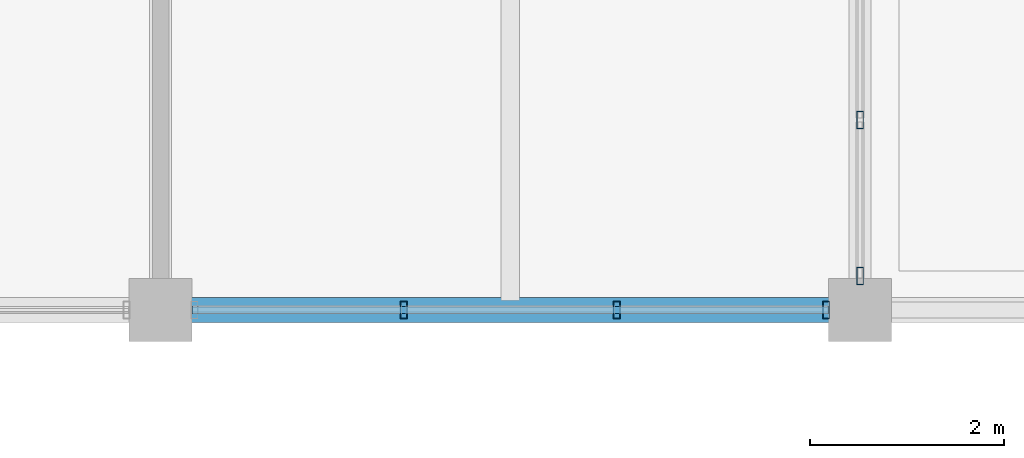
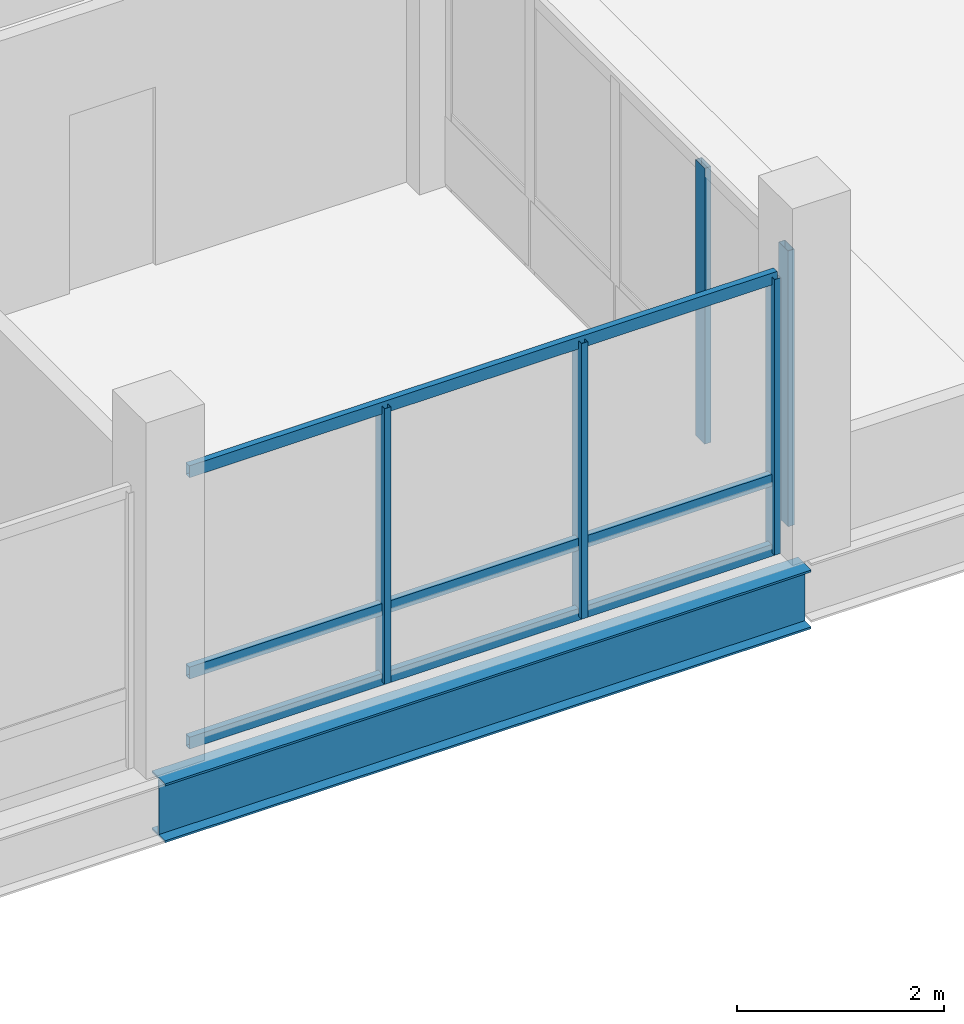
# One storey, part 58 of 102: 8 members, 1 beam, 2 elements without a shape of their own.
"""IFC4 building model written with IfcOpenShell, lengths in metres."""

from ifc_helpers import new_model, si_unit, direction, frame, origin, origin_2d, place, context, subcontext, project, spatial, hollow_rectangle, i_section, extrude, material, material_profile, profile_set, type_object, element, aggregate, save


model = new_model("IFC4")

# Units and contexts
model_context = context("Model", 3, precision=1e-05, world=origin(), true_north=direction((0.0, 1.0)))
body_context = subcontext(model_context, "Body", "Model", "MODEL_VIEW")
ifc_project = project(units=[si_unit("LENGTHUNIT", "METRE"), si_unit("AREAUNIT", "SQUARE_METRE"), si_unit("VOLUMEUNIT", "CUBIC_METRE"), si_unit("PLANEANGLEUNIT", "RADIAN"), si_unit("MASSUNIT", "GRAM", prefix="KILO")], contexts=[model_context])

# Site, building, storey
site_placement = place(None, origin())
site = spatial("IfcSite", under=ifc_project, at=site_placement, CompositionType="ELEMENT")
building_placement = place(site_placement, origin())
building = spatial("IfcBuilding", under=site, at=building_placement, Name="Yarey Park Central Fire Station", CompositionType="ELEMENT")
storey_placement = place(building_placement, frame((0.0, 0.0, 6.0)))
storey = spatial("IfcBuildingStorey", under=building, at=storey_placement, Name="L02", CompositionType="ELEMENT", Elevation=6.0)

# Curtain wall, members
ifc_material_1 = material(Name="Anodized Aluminium Frame", Category="aluminium")
curtain_wall_type = type_object("IfcCurtainWallType", Name="ENV_CW_HQ_L02", PredefinedType="NOTDEFINED", material=ifc_material_1)
curtain_wall_1_placement = place(storey_placement, origin())
curtain_wall_1 = element("IfcCurtainWall", 1, at=curtain_wall_1_placement, inside=storey, type_object=curtain_wall_type, Name="CW_L02_V4_S_6", PredefinedType="NOTDEFINED")
ifc_material_profile_1 = material_profile(ifc_material_1, hollow_rectangle(XDim=0.070068359375, YDim=0.179931640625, WallThickness=0.00390625, at=origin_2d()), Name="ALU 180x70x4")
ifc_profile_set_1 = profile_set([ifc_material_profile_1], Name="Anodized Aluminium Frame")
member_type_1 = type_object("IfcMemberType", Name="ENV_CW_MULLION", PredefinedType="MULLION", material=ifc_profile_set_1)
member_1_placement = place(storey_placement, frame((153.703369140625, 93.60009765625, 0.0), z_axis=(0.0, 0.0, 1.0), x_axis=(1.0, 0.0, 0.0)))
member_1 = element("IfcMember", 2, at=member_1_placement, type_object=member_type_1, Name="CW_L02_V4_S_6_MUL2", PredefinedType="MULLION", context=body_context, shape_type="SweptSolid", body=[
    extrude(hollow_rectangle(XDim=0.070068359375, YDim=0.179931640625, WallThickness=0.00390625, at=origin_2d()), origin(), (0.0, 0.0, 1.0), 3.2470703125),
])
member_2_placement = place(storey_placement, frame((155.896728515625, 93.60009765625, 0.0), z_axis=(0.0, 0.0, 1.0), x_axis=(1.0, 0.0, 0.0)))
member_2 = element("IfcMember", 3, at=member_2_placement, type_object=member_type_1, Name="CW_L02_V4_S_6_MUL3", PredefinedType="MULLION", context=body_context, shape_type="SweptSolid", body=[
    extrude(hollow_rectangle(XDim=0.070068359375, YDim=0.179931640625, WallThickness=0.00390625, at=origin_2d()), origin(), (0.0, 0.0, 1.0), 3.2470703125),
])
member_3_placement = place(storey_placement, frame((158.050048828125, 93.60009765625, 0.0), z_axis=(0.0, 0.0, 1.0), x_axis=(1.0, 0.0, 0.0)))
member_3 = element("IfcMember", 4, at=member_3_placement, type_object=member_type_1, Name="CW_L02_V4_S_6_MUL4", PredefinedType="MULLION", context=body_context, shape_type="SweptSolid", body=[
    extrude(hollow_rectangle(XDim=0.070068359375, YDim=0.179931640625, WallThickness=0.00390625, at=origin_2d()), origin(), (0.0, 0.0, 1.0), 3.2470703125),
])

curtain_wall_2_placement = place(storey_placement, origin())
curtain_wall_2 = element("IfcCurtainWall", 5, at=curtain_wall_2_placement, inside=storey, type_object=curtain_wall_type, Name="CW_L02_V4_E_93", PredefinedType="NOTDEFINED")
member_4_placement = place(storey_placement, frame((158.39990234375, 93.949951171875, 0.0), z_axis=(0.0, 0.0, 1.0), x_axis=(1.0, 0.0, 0.0)))
member_4 = element("IfcMember", 6, at=member_4_placement, type_object=member_type_1, Name="CW_L02_V4_E_93_MUL1", PredefinedType="MULLION", context=body_context, shape_type="SweptSolid", body=[
    extrude(hollow_rectangle(XDim=0.070068359375, YDim=0.179931640625, WallThickness=0.00390625, at=origin_2d()), origin(), (0.0, 0.0, 1.0), 3.25),
])
member_5_placement = place(storey_placement, frame((158.39990234375, 95.554931640625, 0.0), z_axis=(0.0, 0.0, 1.0), x_axis=(1.0, 0.0, 0.0)))
member_5 = element("IfcMember", 7, at=member_5_placement, type_object=member_type_1, Name="CW_L02_V4_E_93_MUL2", PredefinedType="MULLION", context=body_context, shape_type="SweptSolid", body=[
    extrude(hollow_rectangle(XDim=0.070068359375, YDim=0.179931640625, WallThickness=0.00390625, at=origin_2d()), origin(), (0.0, 0.0, 1.0), 3.25),
])
aggregate(curtain_wall_2, [member_4, member_5])

# Member
ifc_material_profile_2 = material_profile(ifc_material_1, hollow_rectangle(XDim=0.070068359375, YDim=0.139892578125, WallThickness=0.00390625, at=origin_2d()), Name="ALU 140x70x4")
ifc_profile_set_2 = profile_set([ifc_material_profile_2], Name="Anodized Aluminium Frame")
member_type_2 = type_object("IfcMemberType", Name="ENV_CW_TRANSOM", PredefinedType="USERDEFINED", material=ifc_profile_set_2)
member_6_placement = place(storey_placement, frame((151.52490234375, 93.60009765625, 0.02490234375), z_axis=(1.0, 0.0, 0.0), x_axis=(0.0, 1.0, 0.0)))
member_6 = element("IfcMember", 8, at=member_6_placement, type_object=member_type_2, Name="CW_L02_V4_S_6_TRN1", ObjectType="TRANSOM", PredefinedType="USERDEFINED", context=body_context, shape_type="SweptSolid", body=[
    extrude(hollow_rectangle(XDim=0.070068359375, YDim=0.139892578125, WallThickness=0.00390625, at=origin_2d()), origin(), (0.0, 0.0, 1.0), 6.550048828125),
])

member_7_placement = place(storey_placement, frame((151.52490234375, 93.60009765625, 0.85009765625), z_axis=(1.0, 0.0, 0.0), x_axis=(0.0, 1.0, 0.0)))
member_7 = element("IfcMember", 9, at=member_7_placement, type_object=member_type_2, Name="CW_L02_V4_S_6_TRN2", ObjectType="TRANSOM", PredefinedType="USERDEFINED", context=body_context, shape_type="SweptSolid", body=[
    extrude(hollow_rectangle(XDim=0.070068359375, YDim=0.139892578125, WallThickness=0.00390625, at=origin_2d()), origin(), (0.0, 0.0, 1.0), 6.550048828125),
])

member_8_placement = place(storey_placement, frame((151.52490234375, 93.60009765625, 3.221923828125), z_axis=(1.0, 0.0, 0.0), x_axis=(0.0, 1.0, 0.0)))
member_8 = element("IfcMember", 10, at=member_8_placement, type_object=member_type_2, Name="CW_L02_V4_S_6_TRN3", ObjectType="TRANSOM", PredefinedType="USERDEFINED", context=body_context, shape_type="SweptSolid", body=[
    extrude(hollow_rectangle(XDim=0.070068359375, YDim=0.139892578125, WallThickness=0.00390625, at=origin_2d()), origin(), (0.0, 0.0, 1.0), 6.550048828125),
])

aggregate(curtain_wall_1, [member_1, member_2, member_3, member_6, member_7, member_8])

# Beam
ifc_material_2 = material(Name="Steel ASTM A992 Gr. 50", Category="steel")
ifc_material_profile_3 = material_profile(ifc_material_2, i_section(OverallWidth=0.256103515625, OverallDepth=0.693115234375, WebThickness=0.014404296875, FlangeThickness=0.023681640625, at=origin_2d()), Name="W690x170")
ifc_profile_set_3 = profile_set([ifc_material_profile_3], Name="Steel ASTM A992 Gr. 50")
beam_type = type_object("IfcBeamType", Name="STR_BM_W690", PredefinedType="BEAM", material=ifc_profile_set_3)
beam_placement = place(storey_placement, frame((151.199951171875, 93.60009765625, -0.631591796875), z_axis=(1.0, 0.0, 0.0), x_axis=(0.0, 1.0, 0.0)))
element("IfcBeam", 11, at=beam_placement, inside=storey, type_object=beam_type, Name="BMX L02 Y936 X1512", PredefinedType="BEAM", context=body_context, shape_type="SweptSolid", body=[
    extrude(i_section(OverallWidth=0.256103515625, OverallDepth=0.693115234375, WebThickness=0.014404296875, FlangeThickness=0.023681640625, at=origin_2d()), origin(), (0.0, 0.0, 1.0), 7.199951171875),
])

save(model, "model.ifc")
